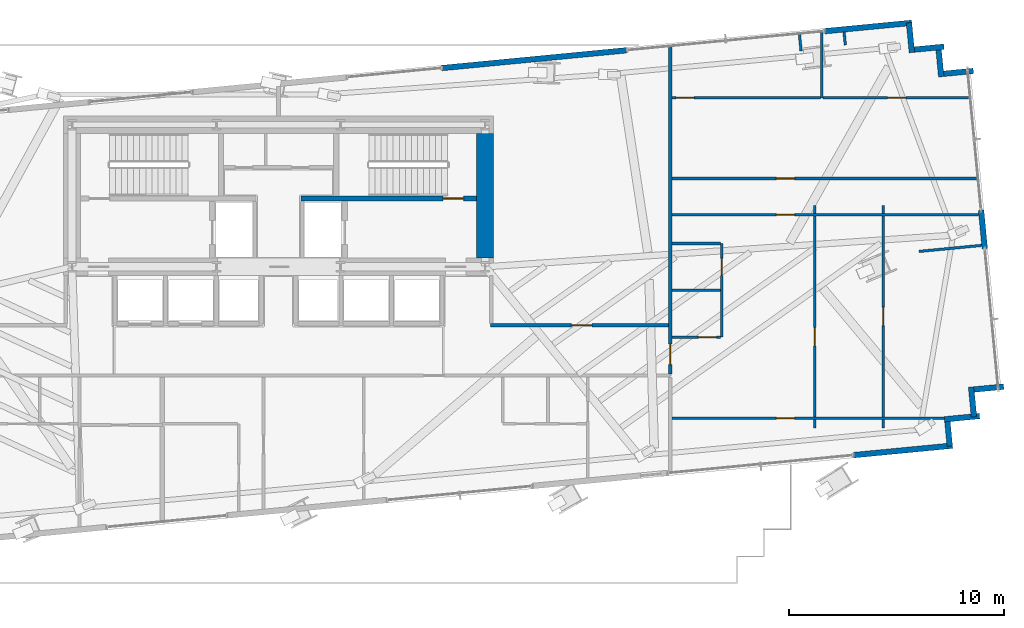
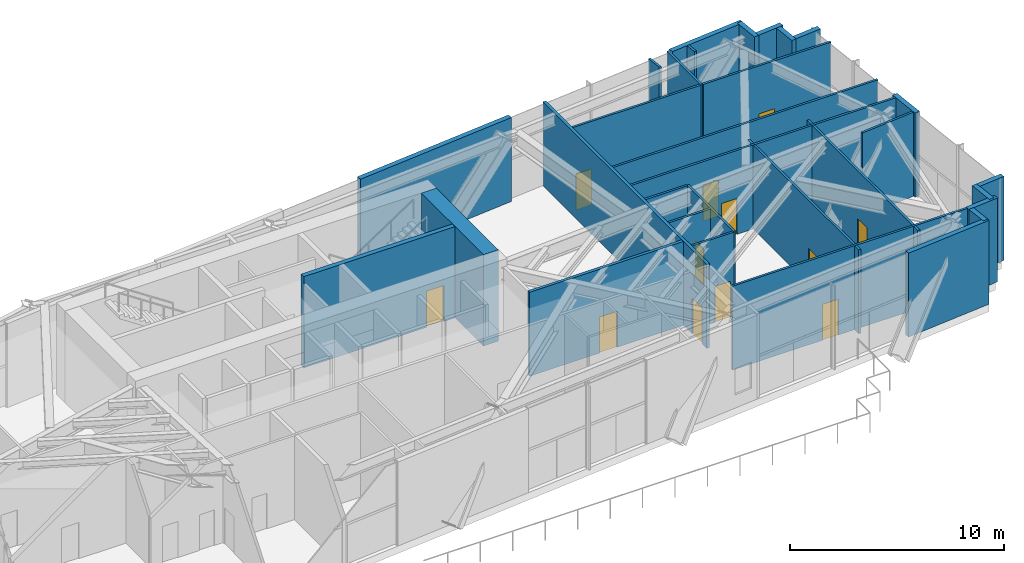
# One storey, part 23 of 28: 35 walls, 12 doors, 12 openings.
"""IFC4 building model written with IfcOpenShell, lengths in metres."""

from ifc_helpers import new_model, si_unit, direction, frame, frame_2d, origin, place, context, subcontext, project, spatial, rectangle, extrude, source, transform, mapped, material, layer, layer_set, type_object, type_shapes, element, fill, save


model = new_model("IFC4")

# Units and contexts
model_context = context("Model", 3, precision=1e-05, world=origin(), true_north=direction((0.0, 1.0)))
body_context = subcontext(model_context, "Body", "Model", "MODEL_VIEW")
ifc_project = project(units=[si_unit("LENGTHUNIT", "METRE"), si_unit("AREAUNIT", "SQUARE_METRE"), si_unit("VOLUMEUNIT", "CUBIC_METRE"), si_unit("PLANEANGLEUNIT", "RADIAN"), si_unit("MASSUNIT", "GRAM", prefix="KILO")], contexts=[model_context])

# Site, building, storey
site_placement = place(None, origin())
site = spatial("IfcSite", under=ifc_project, at=site_placement, CompositionType="ELEMENT")
building_placement = place(site_placement, origin())
building = spatial("IfcBuilding", under=site, at=building_placement, Name="Astriad Promenade Condominiums", CompositionType="ELEMENT")
storey_placement = place(building_placement, frame((0.0, 0.0, 72.60009765625)))
storey = spatial("IfcBuildingStorey", under=building, at=storey_placement, Name="L20", CompositionType="ELEMENT", Elevation=72.60009765625)

# Wall
ifc_material_1 = material(Name="Concrete C80/95", Category="concrete")
ifc_layer_1 = layer(ifc_material_1, 0.800048828125)
ifc_layer_set_1 = layer_set([ifc_layer_1], Name="Concrete C80/95")
wall_type_1 = type_object("IfcWallType", Name="CW-SHEAR-800", PredefinedType="SHEAR", material=ifc_layer_set_1)
wall_1_placement = place(storey_placement, frame((45.60009765625, 17.802001953125, 0.0), z_axis=(0.0, 0.0, 1.0), x_axis=(0.0, 1.0, 0.0)))
element("IfcWall", 1, at=wall_1_placement, inside=storey, type_object=wall_type_1, Name="CW-CORE-E-L20", PredefinedType="SHEAR", context=body_context, shape_type="SweptSolid", body=[
    extrude(rectangle(XDim=5.7958984375, YDim=0.800048828125, at=frame_2d((2.89794921875, 0.0))), origin(), (0.0, 0.0, 1.0), 5.199951171875),
])

# Wall, opening, door
ifc_material_2 = material(Name="Concrete C50/60", Category="concrete")
ifc_layer_2 = layer(ifc_material_2, 0.25)
ifc_layer_set_2 = layer_set([ifc_layer_2], Name="Concrete C50/60")
wall_type_2 = type_object("IfcWallType", Name="WALL-CORE-INT-250", PredefinedType="SOLIDWALL", material=ifc_layer_set_2)
wall_2_placement = place(storey_placement, frame((37.050048828125, 20.574951171875, 0.0), z_axis=(0.0, 0.0, 1.0), x_axis=(1.0, 0.0, 0.0)))
wall_2 = element("IfcWall", 2, at=wall_2_placement, inside=storey, type_object=wall_type_2, Name="CW-INT-H2-L20", PredefinedType="SOLIDWALL", context=body_context, shape_type="SweptSolid", body=[
    extrude(rectangle(XDim=8.14794921875, YDim=0.25, at=frame_2d((4.073974609375, 0.0))), origin(), (0.0, 0.0, 1.0), 5.199951171875),
])
opening_1_placement = place(wall_2_placement, frame((6.60009765625, 0.0, 0.0)))
opening_1 = element("IfcOpeningElement", 3, at=opening_1_placement, cuts=wall_2, Name="Opening FD90-ST-095", PredefinedType="OPENING", context=body_context, shape_type="SweptSolid", body=[
    extrude(rectangle(XDim=0.949951171875, YDim=2.06005859375, at=frame_2d((0.47509765625, 1.030029296875))), frame((0.0, 0.135009765625, 0.0), z_axis=(0.0, -1.0, 0.0), x_axis=(1.0, 0.0, 0.0)), (0.0, 0.0, 1.0), 0.27001953125),
])
ifc_material_3 = material(Name="Fire-Rated Hollow Metal Stair Door")
door_type_1 = type_object("IfcDoorType", Name="FD90-ST-095", OperationType="NOTDEFINED", PredefinedType="DOOR", material=ifc_material_3)
shared_shape_1 = source(origin(), body_context, "Body", "SweptSolid", [
    extrude(rectangle(XDim=0.949951171875, YDim=2.06005859375, at=frame_2d((0.47509765625, 1.030029296875))), frame((0.0, 0.02490234375, 0.0), z_axis=(0.0, -1.0, 0.0), x_axis=(1.0, 0.0, 0.0)), (0.0, 0.0, 1.0), 0.050048828125),
])
type_shapes(door_type_1, [shared_shape_1])
door_1_placement = place(opening_1_placement, origin())
door_1 = element("IfcDoor", 4, at=door_1_placement, inside=storey, type_object=door_type_1, Name="D-ST2-L20", OperationType="SINGLE_SWING_LEFT", OverallHeight=2.06005859375, OverallWidth=0.949951171875, PredefinedType="DOOR", context=body_context, shape_type="MappedRepresentation", body=[
    mapped(shared_shape_1, transform((0.0, 0.0, 0.0), scale=1.0)),
])
fill(opening_1, door_1)

ifc_material_4 = material(Name="Fire-Rated Gypsum Partition")
ifc_layer_3 = layer(ifc_material_4, 0.159912109375)
ifc_layer_set_3 = layer_set([ifc_layer_3], Name="Fire-Rated Gypsum Partition")
wall_type_3 = type_object("IfcWallType", Name="WALL-CORR-160", PredefinedType="PARTITIONING", material=ifc_layer_set_3)
wall_3_placement = place(storey_placement, frame((54.199951171875, 12.431884765625, 0.0), z_axis=(0.0, 0.0, 1.0), x_axis=(0.0, 1.0, 0.0)))
wall_3 = element("IfcWall", 5, at=wall_3_placement, inside=storey, type_object=wall_type_3, Name="PT-COR-E-L20-S2", PredefinedType="PARTITIONING", context=body_context, shape_type="SweptSolid", body=[
    extrude(rectangle(XDim=15.2783203125, YDim=0.159912109375, at=frame_2d((7.63916015625, 0.0))), origin(), (0.0, 0.0, 1.0), 4.77978515625),
])
opening_2_placement = place(wall_3_placement, frame((0.428955078125, 0.0, 0.0)))
opening_2 = element("IfcOpeningElement", 6, at=opening_2_placement, cuts=wall_3, Name="Opening FD60-APT-095", PredefinedType="OPENING", context=body_context, shape_type="SweptSolid", body=[
    extrude(rectangle(XDim=0.949951171875, YDim=2.06005859375, at=frame_2d((0.47509765625, 1.030029296875))), frame((0.0, 0.08984375, 0.0), z_axis=(0.0, -1.0, 0.0), x_axis=(1.0, 0.0, 0.0)), (0.0, 0.0, 1.0), 0.179931640625),
])
ifc_material_5 = material(Name="Solid-Core Acoustic Timber Residence Entry Door", Category="wood")
door_type_2 = type_object("IfcDoorType", Name="FD60-APT-095", OperationType="NOTDEFINED", PredefinedType="DOOR", material=ifc_material_5)
shared_shape_2 = source(origin(), body_context, "Body", "SweptSolid", [
    extrude(rectangle(XDim=0.949951171875, YDim=2.06005859375, at=frame_2d((0.47509765625, 1.030029296875))), frame((0.0, 0.02490234375, 0.0), z_axis=(0.0, -1.0, 0.0), x_axis=(1.0, 0.0, 0.0)), (0.0, 0.0, 1.0), 0.050048828125),
])
type_shapes(door_type_2, [shared_shape_2])
door_2_placement = place(opening_2_placement, origin())
door_2 = element("IfcDoor", 7, at=door_2_placement, inside=storey, type_object=door_type_2, Name="D-ENT-L20-E1", OperationType="SINGLE_SWING_LEFT", OverallHeight=2.06005859375, OverallWidth=0.949951171875, PredefinedType="DOOR", context=body_context, shape_type="MappedRepresentation", body=[
    mapped(shared_shape_2, transform((0.0, 0.0, 0.0), scale=1.0)),
])
fill(opening_2, door_2)

wall_4_placement = place(storey_placement, frame((45.840087890625, 14.679931640625, 0.0), z_axis=(0.0, 0.0, 1.0), x_axis=(1.0, 0.0, 0.0)))
wall_4 = element("IfcWall", 8, at=wall_4_placement, inside=storey, type_object=wall_type_3, Name="PT-FLK-NE-L20", PredefinedType="PARTITIONING", context=body_context, shape_type="SweptSolid", body=[
    extrude(rectangle(XDim=8.27783203125, YDim=0.159912109375, at=frame_2d((4.138916015625, 0.0))), origin(), (0.0, 0.0, 1.0), 4.77978515625),
])
opening_3_placement = place(wall_4_placement, frame((3.764892578125, 0.0, 0.0)))
opening_3 = element("IfcOpeningElement", 9, at=opening_3_placement, cuts=wall_4, Name="Opening FD60-APT-095", PredefinedType="OPENING", context=body_context, shape_type="SweptSolid", body=[
    extrude(rectangle(XDim=0.949951171875, YDim=2.06005859375, at=frame_2d((0.47509765625, 1.030029296875))), frame((0.0, 0.08984375, 0.0), z_axis=(0.0, -1.0, 0.0), x_axis=(1.0, 0.0, 0.0)), (0.0, 0.0, 1.0), 0.179931640625),
])
door_3_placement = place(opening_3_placement, origin())
door_3 = element("IfcDoor", 10, at=door_3_placement, inside=storey, type_object=door_type_2, Name="D-NEA-L20", OperationType="SINGLE_SWING_LEFT", OverallHeight=2.06005859375, OverallWidth=0.949951171875, PredefinedType="DOOR", context=body_context, shape_type="MappedRepresentation", body=[
    mapped(shared_shape_2, transform((0.0, 0.0, 0.0), scale=1.0)),
])
fill(opening_3, door_3)

# Walls
ifc_material_6 = material(Name="Precast concrete C50/60", Category="concrete")
ifc_layer_4 = layer(ifc_material_6, 0.260009765625)
ifc_layer_set_4 = layer_set([ifc_layer_4], Name="Precast concrete C50/60")
wall_type_4 = type_object("IfcWallType", Name="WALL-EXT-TWR-260", PredefinedType="STANDARD", material=ifc_layer_set_4)
wall_5_placement = place(storey_placement, frame((43.58935546875, 26.63818359375, 0.0), z_axis=(0.0, 0.0, 1.0), x_axis=(0.995396129087, 0.09584647202, 0.0)))
element("IfcWall", 11, at=wall_5_placement, inside=storey, type_object=wall_type_4, Name="W-SGCOL-L20-N-4", PredefinedType="STANDARD", context=body_context, shape_type="SweptSolid", body=[
    extrude(rectangle(XDim=8.64013671875, YDim=0.260009765625, at=frame_2d((4.320068359375, 0.0))), origin(), (0.0, 0.0, 1.0), 4.77978515625),
])
wall_6_placement = place(storey_placement, frame((61.377197265625, 28.35107421875, 0.0), z_axis=(0.0, 0.0, 1.0), x_axis=(0.99539517086, 0.095856422986, 0.0)))
element("IfcWall", 12, at=wall_6_placement, inside=storey, type_object=wall_type_4, Name="W-SGCOL-L20-N-5", PredefinedType="STANDARD", context=body_context, shape_type="SweptSolid", body=[
    extrude(rectangle(XDim=4.070068359375, YDim=0.260009765625, at=frame_2d((2.03515625, 0.0))), origin(), (0.0, 0.0, 1.0), 4.77978515625),
])
for number, where, z_axis, x_axis, name in (
    (13, (65.297607421875, 28.74365234375, 0.0), (0.0, 0.0, 1.0), (0.095725744959, -0.99540774648, 0.0), "W-SER-L20-09"),
    (14, (65.533203125, 27.49560546875, 0.0), (0.0, 0.0, 1.0), (0.99540774648, 0.095725744959, 0.0), "W-SER-L20-10"),
):
    element("IfcWall", number, at=place(storey_placement, frame(where, z_axis=z_axis, x_axis=x_axis)), inside=storey, type_object=wall_type_4, Name=name, PredefinedType="STANDARD", context=body_context, shape_type="SweptSolid", body=[
        extrude(rectangle(XDim=1.39501953125, YDim=0.260009765625, at=frame_2d((0.697509765625, 0.0))), origin(), (0.0, 0.0, 1.0), 4.77978515625),
    ])
wall_7_placement = place(storey_placement, frame((66.66162109375, 27.619140625, 0.0), z_axis=(0.0, 0.0, 1.0), x_axis=(0.095742423056, -0.99540614245, 0.0)))
element("IfcWall", 15, at=wall_7_placement, inside=storey, type_object=wall_type_4, Name="W-SER-L20-11", PredefinedType="STANDARD", context=body_context, shape_type="SweptSolid", body=[
    extrude(rectangle(XDim=1.394775390625, YDim=0.260009765625, at=frame_2d((0.697265625, 0.0))), origin(), (0.0, 0.0, 1.0), 4.77978515625),
])
wall_8_placement = place(storey_placement, frame((66.897216796875, 26.37109375, 0.0), z_axis=(0.0, 0.0, 1.0), x_axis=(0.995391056452, 0.09589913835, 0.0)))
element("IfcWall", 16, at=wall_8_placement, inside=storey, type_object=wall_type_4, Name="W-SER-L20-12", PredefinedType="STANDARD", context=body_context, shape_type="SweptSolid", body=[
    extrude(rectangle(XDim=1.39501953125, YDim=0.260009765625, at=frame_2d((0.697509765625, 0.0))), origin(), (0.0, 0.0, 1.0), 4.77978515625),
])
wall_9_placement = place(storey_placement, frame((68.647216796875, 20.03955078125, 0.0), z_axis=(0.0, 0.0, 1.0), x_axis=(0.095756341646, -0.995404803602, 0.0)))
element("IfcWall", 17, at=wall_9_placement, inside=storey, type_object=wall_type_4, Name="W-SGCOL-L20-E-1", PredefinedType="STANDARD", context=body_context, shape_type="SweptSolid", body=[
    extrude(rectangle(XDim=1.800048828125, YDim=0.260009765625, at=frame_2d((0.89990234375, 0.0))), origin(), (0.0, 0.0, 1.0), 4.77978515625),
])
for number, where, z_axis, x_axis, name in (
    (18, (69.698486328125, 11.83251953125, 0.0), (0.0, 0.0, 1.0), (-0.99540614245, -0.095742423056, 0.0), "W-SER-L20-14"),
    (19, (68.18310546875, 11.817138671875, 0.0), (0.0, 0.0, 1.0), (0.095915846097, -0.995389446633, 0.0), "W-SER-L20-15"),
):
    element("IfcWall", number, at=place(storey_placement, frame(where, z_axis=z_axis, x_axis=x_axis)), inside=storey, type_object=wall_type_4, Name=name, PredefinedType="STANDARD", context=body_context, shape_type="SweptSolid", body=[
        extrude(rectangle(XDim=1.394775390625, YDim=0.260009765625, at=frame_2d((0.697265625, 0.0))), origin(), (0.0, 0.0, 1.0), 4.77978515625),
    ])
wall_10_placement = place(storey_placement, frame((68.57421875, 10.468505859375, 0.0), z_axis=(0.0, 0.0, 1.0), x_axis=(-0.995394563142, -0.095862733462, 0.0)))
element("IfcWall", 20, at=wall_10_placement, inside=storey, type_object=wall_type_4, Name="W-SER-L20-16", PredefinedType="STANDARD", context=body_context, shape_type="SweptSolid", body=[
    extrude(rectangle(XDim=1.64013671875, YDim=0.260009765625, at=frame_2d((0.820068359375, 0.0))), origin(), (0.0, 0.0, 1.0), 4.77978515625),
])
wall_11_placement = place(storey_placement, frame((67.082275390625, 10.209228515625, 0.0), z_axis=(0.0, 0.0, 1.0), x_axis=(0.09576095695, -0.995404359607, 0.0)))
element("IfcWall", 21, at=wall_11_placement, inside=storey, type_object=wall_type_4, Name="W-SER-L20-17", PredefinedType="STANDARD", context=body_context, shape_type="SweptSolid", body=[
    extrude(rectangle(XDim=1.14990234375, YDim=0.260009765625, at=frame_2d((0.574951171875, 0.0))), origin(), (0.0, 0.0, 1.0), 4.77978515625),
])
wall_12_placement = place(storey_placement, frame((67.3203125, 9.092041015625, 0.0), z_axis=(0.0, 0.0, 1.0), x_axis=(-0.99539468832, -0.09586143367, 0.0)))
element("IfcWall", 22, at=wall_12_placement, inside=storey, type_object=wall_type_4, Name="W-SGCOL-L20-S-1", PredefinedType="STANDARD", context=body_context, shape_type="SweptSolid", body=[
    extrude(rectangle(XDim=4.619873046875, YDim=0.260009765625, at=frame_2d((2.31005859375, 0.0))), origin(), (0.0, 0.0, 1.0), 4.77978515625),
])

# Wall, opening, door
ifc_material_7 = material(Name="Acoustic Metal-Stud Gypsum Partition")
ifc_layer_5 = layer(ifc_material_7, 0.1201171875)
ifc_layer_set_5 = layer_set([ifc_layer_5], Name="Acoustic Metal-Stud Gypsum Partition")
wall_type_5 = type_object("IfcWallType", Name="WALL-PART-120", PredefinedType="PARTITIONING", material=ifc_layer_set_5)
wall_13_placement = place(storey_placement, frame((56.60009765625, 14.135986328125, 0.0), z_axis=(0.0, 0.0, 1.0), x_axis=(0.0, 1.0, 0.0)))
wall_13 = element("IfcWall", 23, at=wall_13_placement, inside=storey, type_object=wall_type_5, Name="PT-L20-E1-PV", PredefinedType="PARTITIONING", context=body_context, shape_type="SweptSolid", body=[
    extrude(rectangle(XDim=4.35009765625, YDim=0.1201171875, at=frame_2d((2.175048828125, 0.0))), origin(), (0.0, 0.0, 1.0), 4.77978515625),
])
opening_4_placement = place(wall_13_placement, frame((2.862060546875, 0.0, 0.0)))
opening_4 = element("IfcOpeningElement", 24, at=opening_4_placement, cuts=wall_13, Name="Opening D-WET-080", PredefinedType="OPENING", context=body_context, shape_type="SweptSolid", body=[
    extrude(rectangle(XDim=0.800048828125, YDim=2.02001953125, at=frame_2d((0.39990234375, 1.010009765625))), frame((0.0, 0.070068359375, 0.0), z_axis=(0.0, -1.0, 0.0), x_axis=(1.0, 0.0, 0.0)), (0.0, 0.0, 1.0), 0.14013671875),
])
ifc_material_8 = material(Name="Moisture-Resistant Timber Bathroom Door", Category="wood")
door_type_3 = type_object("IfcDoorType", Name="D-WET-080", OperationType="NOTDEFINED", PredefinedType="DOOR", material=ifc_material_8)
shared_shape_3 = source(origin(), body_context, "Body", "SweptSolid", [
    extrude(rectangle(XDim=0.800048828125, YDim=2.02001953125, at=frame_2d((0.39990234375, 1.010009765625))), frame((0.0, 0.02490234375, 0.0), z_axis=(0.0, -1.0, 0.0), x_axis=(1.0, 0.0, 0.0)), (0.0, 0.0, 1.0), 0.050048828125),
])
type_shapes(door_type_3, [shared_shape_3])
door_4_placement = place(opening_4_placement, origin())
door_4 = element("IfcDoor", 25, at=door_4_placement, inside=storey, type_object=door_type_3, Name="D-BTH-L20-E1", OperationType="SINGLE_SWING_LEFT", OverallHeight=2.02001953125, OverallWidth=0.800048828125, PredefinedType="DOOR", context=body_context, shape_type="MappedRepresentation", body=[
    mapped(shared_shape_3, transform((0.0, 0.0, 0.0), scale=1.0)),
])
fill(opening_4, door_4)

# Wall
wall_14_placement = place(storey_placement, frame((54.281982421875, 16.31103515625, 0.0), z_axis=(0.0, 0.0, 1.0), x_axis=(1.0, 0.0, 0.0)))
element("IfcWall", 26, at=wall_14_placement, inside=storey, type_object=wall_type_5, Name="PT-L20-E1-PM", PredefinedType="PARTITIONING", context=body_context, shape_type="SweptSolid", body=[
    extrude(rectangle(XDim=2.256103515625, YDim=0.1201171875, at=frame_2d((1.1279296875, 0.0))), origin(), (0.0, 0.0, 1.0), 4.77978515625),
])

# Wall, opening, door
wall_15_placement = place(storey_placement, frame((54.281982421875, 14.135986328125, 0.0), z_axis=(0.0, 0.0, 1.0), x_axis=(1.0, 0.0, 0.0)))
wall_15 = element("IfcWall", 27, at=wall_15_placement, inside=storey, type_object=wall_type_5, Name="PT-L20-E1-PS", PredefinedType="PARTITIONING", context=body_context, shape_type="SweptSolid", body=[
    extrude(rectangle(XDim=2.256103515625, YDim=0.1201171875, at=frame_2d((1.1279296875, 0.0))), origin(), (0.0, 0.0, 1.0), 4.77978515625),
])
opening_5_placement = place(wall_15_placement, frame((1.22607421875, 0.0, 0.0)))
opening_5 = element("IfcOpeningElement", 28, at=opening_5_placement, cuts=wall_15, Name="Opening D-INT-085", PredefinedType="OPENING", context=body_context, shape_type="SweptSolid", body=[
    extrude(rectangle(XDim=0.85009765625, YDim=2.050048828125, at=frame_2d((0.425048828125, 1.02490234375))), frame((0.0, 0.070068359375, 0.0), z_axis=(0.0, -1.0, 0.0), x_axis=(1.0, 0.0, 0.0)), (0.0, 0.0, 1.0), 0.14013671875),
])
ifc_material_9 = material(Name="Painted Solid-Core Timber Room Door", Category="wood")
door_type_4 = type_object("IfcDoorType", Name="D-INT-085", OperationType="NOTDEFINED", PredefinedType="DOOR", material=ifc_material_9)
shared_shape_4 = source(origin(), body_context, "Body", "SweptSolid", [
    extrude(rectangle(XDim=0.85009765625, YDim=2.050048828125, at=frame_2d((0.425048828125, 1.02490234375))), frame((0.0, 0.02490234375, 0.0), z_axis=(0.0, -1.0, 0.0), x_axis=(1.0, 0.0, 0.0)), (0.0, 0.0, 1.0), 0.050048828125),
])
type_shapes(door_type_4, [shared_shape_4])
door_5_placement = place(opening_5_placement, origin())
door_5 = element("IfcDoor", 29, at=door_5_placement, inside=storey, type_object=door_type_4, Name="D-KIT-L20-E1", OperationType="SINGLE_SWING_RIGHT", OverallHeight=2.050048828125, OverallWidth=0.85009765625, PredefinedType="DOOR", context=body_context, shape_type="MappedRepresentation", body=[
    mapped(shared_shape_4, transform((0.0, 0.0, 0.0), scale=1.0)),
])
fill(opening_5, door_5)

# Walls
wall_16_placement = place(storey_placement, frame((54.281982421875, 18.486083984375, 0.0), z_axis=(0.0, 0.0, 1.0), x_axis=(1.0, 0.0, 0.0)))
element("IfcWall", 30, at=wall_16_placement, inside=storey, type_object=wall_type_5, Name="PT-L20-E1-PN", PredefinedType="PARTITIONING", context=body_context, shape_type="SweptSolid", body=[
    extrude(rectangle(XDim=2.256103515625, YDim=0.1201171875, at=frame_2d((1.1279296875, 0.0))), origin(), (0.0, 0.0, 1.0), 4.77978515625),
])
wall_17_placement = place(storey_placement, frame((61.2451171875, 25.2548828125, 0.0), z_axis=(0.0, 0.0, 1.0), x_axis=(0.0, 1.0, 0.0)))
element("IfcWall", 31, at=wall_17_placement, inside=storey, type_object=wall_type_5, Name="PT-L20-E1-B1M", PredefinedType="PARTITIONING", context=body_context, shape_type="SweptSolid", body=[
    extrude(rectangle(XDim=3.1337890625, YDim=0.1201171875, at=frame_2d((1.56689453125, 0.0))), origin(), (0.0, 0.0, 1.0), 4.77978515625),
])

# Wall, opening, door
wall_18_placement = place(storey_placement, frame((54.281982421875, 25.2548828125, 0.0), z_axis=(0.0, 0.0, 1.0), x_axis=(1.0, 0.0, 0.0)))
wall_18 = element("IfcWall", 32, at=wall_18_placement, inside=storey, type_object=wall_type_5, Name="PT-L20-E1-B1", PredefinedType="PARTITIONING", context=body_context, shape_type="SweptSolid", body=[
    extrude(rectangle(XDim=6.901123046875, YDim=0.1201171875, at=frame_2d((3.45068359375, 0.0))), origin(), (0.0, 0.0, 1.0), 4.77978515625),
])
opening_6_placement = place(wall_18_placement, frame((0.179931640625, 0.0, 0.0)))
opening_6 = element("IfcOpeningElement", 33, at=opening_6_placement, cuts=wall_18, Name="Opening D-INT-085", PredefinedType="OPENING", context=body_context, shape_type="SweptSolid", body=[
    extrude(rectangle(XDim=0.85009765625, YDim=2.050048828125, at=frame_2d((0.425048828125, 1.02490234375))), frame((0.0, 0.070068359375, 0.0), z_axis=(0.0, -1.0, 0.0), x_axis=(1.0, 0.0, 0.0)), (0.0, 0.0, 1.0), 0.14013671875),
])
door_6_placement = place(opening_6_placement, origin())
door_6 = element("IfcDoor", 34, at=door_6_placement, inside=storey, type_object=door_type_4, Name="D-BD1-L20-E1", OperationType="SINGLE_SWING_RIGHT", OverallHeight=2.050048828125, OverallWidth=0.85009765625, PredefinedType="DOOR", context=body_context, shape_type="MappedRepresentation", body=[
    mapped(shared_shape_4, transform((0.0, 0.0, 0.0), scale=1.0)),
])
fill(opening_6, door_6)

wall_19_placement = place(storey_placement, frame((61.306884765625, 25.2548828125, 0.0), z_axis=(0.0, 0.0, 1.0), x_axis=(1.0, 0.0, 0.0)))
wall_19 = element("IfcWall", 35, at=wall_19_placement, inside=storey, type_object=wall_type_5, Name="PT-L20-E1-B1-S2", PredefinedType="PARTITIONING", context=body_context, shape_type="SweptSolid", body=[
    extrude(rectangle(XDim=6.888427734375, YDim=0.1201171875, at=frame_2d((3.4443359375, 0.0))), origin(), (0.0, 0.0, 1.0), 4.77978515625),
])
opening_7_placement = place(wall_19_placement, frame((2.9951171875, 0.0, 0.0)))
opening_7 = element("IfcOpeningElement", 36, at=opening_7_placement, cuts=wall_19, Name="Opening D-INT-085", PredefinedType="OPENING", context=body_context, shape_type="SweptSolid", body=[
    extrude(rectangle(XDim=0.85009765625, YDim=2.050048828125, at=frame_2d((0.425048828125, 1.02490234375))), frame((0.0, 0.070068359375, 0.0), z_axis=(0.0, -1.0, 0.0), x_axis=(1.0, 0.0, 0.0)), (0.0, 0.0, 1.0), 0.14013671875),
])
door_7_placement = place(opening_7_placement, origin())
door_7 = element("IfcDoor", 37, at=door_7_placement, inside=storey, type_object=door_type_4, Name="D-BD1B-L20-E1", OperationType="SINGLE_SWING_LEFT", OverallHeight=2.050048828125, OverallWidth=0.85009765625, PredefinedType="DOOR", context=body_context, shape_type="MappedRepresentation", body=[
    mapped(shared_shape_4, transform((0.0, 0.0, 0.0), scale=1.0)),
])
fill(opening_7, door_7)

wall_20_placement = place(storey_placement, frame((54.281982421875, 21.5048828125, 0.0), z_axis=(0.0, 0.0, 1.0), x_axis=(1.0, 0.0, 0.0)))
wall_20 = element("IfcWall", 38, at=wall_20_placement, inside=storey, type_object=wall_type_5, Name="PT-L20-E1-WDN1", PredefinedType="PARTITIONING", context=body_context, shape_type="SweptSolid", body=[
    extrude(rectangle(XDim=14.2744140625, YDim=0.1201171875, at=frame_2d((7.13720703125, 0.0))), origin(), (0.0, 0.0, 1.0), 4.77978515625),
])
opening_8_placement = place(wall_20_placement, frame((4.85302734375, 0.0, 0.0)))
opening_8 = element("IfcOpeningElement", 39, at=opening_8_placement, cuts=wall_20, Name="Opening D-INT-085", PredefinedType="OPENING", context=body_context, shape_type="SweptSolid", body=[
    extrude(rectangle(XDim=0.85009765625, YDim=2.050048828125, at=frame_2d((0.425048828125, 1.02490234375))), frame((0.0, 0.070068359375, 0.0), z_axis=(0.0, -1.0, 0.0), x_axis=(1.0, 0.0, 0.0)), (0.0, 0.0, 1.0), 0.14013671875),
])
door_8_placement = place(opening_8_placement, origin())
door_8 = element("IfcDoor", 40, at=door_8_placement, inside=storey, type_object=door_type_4, Name="D-WDN1-L20-E1", OperationType="SINGLE_SWING_RIGHT", OverallHeight=2.050048828125, OverallWidth=0.85009765625, PredefinedType="DOOR", context=body_context, shape_type="MappedRepresentation", body=[
    mapped(shared_shape_4, transform((0.0, 0.0, 0.0), scale=1.0)),
])
fill(opening_8, door_8)

wall_21_placement = place(storey_placement, frame((54.281982421875, 10.362060546875, 0.0), z_axis=(0.0, 0.0, 1.0), x_axis=(1.0, 0.0, 0.0)))
wall_21 = element("IfcWall", 41, at=wall_21_placement, inside=storey, type_object=wall_type_5, Name="PT-L20-E1-WDS2", PredefinedType="PARTITIONING", context=body_context, shape_type="SweptSolid", body=[
    extrude(rectangle(XDim=12.65478515625, YDim=0.1201171875, at=frame_2d((6.327392578125, 0.0))), origin(), (0.0, 0.0, 1.0), 4.77978515625),
])
opening_9_placement = place(wall_21_placement, frame((4.85302734375, 0.0, 0.0)))
opening_9 = element("IfcOpeningElement", 42, at=opening_9_placement, cuts=wall_21, Name="Opening D-INT-085", PredefinedType="OPENING", context=body_context, shape_type="SweptSolid", body=[
    extrude(rectangle(XDim=0.85009765625, YDim=2.050048828125, at=frame_2d((0.425048828125, 1.02490234375))), frame((0.0, 0.070068359375, 0.0), z_axis=(0.0, -1.0, 0.0), x_axis=(1.0, 0.0, 0.0)), (0.0, 0.0, 1.0), 0.14013671875),
])
door_9_placement = place(opening_9_placement, origin())
door_9 = element("IfcDoor", 43, at=door_9_placement, inside=storey, type_object=door_type_4, Name="D-WDS2-L20-E1", OperationType="SINGLE_SWING_LEFT", OverallHeight=2.050048828125, OverallWidth=0.85009765625, PredefinedType="DOOR", context=body_context, shape_type="MappedRepresentation", body=[
    mapped(shared_shape_4, transform((0.0, 0.0, 0.0), scale=1.0)),
])
fill(opening_9, door_9)

wall_22_placement = place(storey_placement, frame((54.281982421875, 19.818115234375, 0.0), z_axis=(0.0, 0.0, 1.0), x_axis=(1.0, 0.0, 0.0)))
wall_22 = element("IfcWall", 44, at=wall_22_placement, inside=storey, type_object=wall_type_5, Name="PT-L20-E1-WDN3", PredefinedType="PARTITIONING", context=body_context, shape_type="SweptSolid", body=[
    extrude(rectangle(XDim=14.25390625, YDim=0.1201171875, at=frame_2d((7.126953125, 0.0))), origin(), (0.0, 0.0, 1.0), 4.77978515625),
])
opening_10_placement = place(wall_22_placement, frame((4.85302734375, 0.0, 0.0)))
opening_10 = element("IfcOpeningElement", 45, at=opening_10_placement, cuts=wall_22, Name="Opening D-INT-085", PredefinedType="OPENING", context=body_context, shape_type="SweptSolid", body=[
    extrude(rectangle(XDim=0.85009765625, YDim=2.050048828125, at=frame_2d((0.425048828125, 1.02490234375))), frame((0.0, 0.070068359375, 0.0), z_axis=(0.0, -1.0, 0.0), x_axis=(1.0, 0.0, 0.0)), (0.0, 0.0, 1.0), 0.14013671875),
])
door_10_placement = place(opening_10_placement, origin())
door_10 = element("IfcDoor", 46, at=door_10_placement, inside=storey, type_object=door_type_4, Name="D-WDN3-L20-E1", OperationType="SINGLE_SWING_RIGHT", OverallHeight=2.050048828125, OverallWidth=0.85009765625, PredefinedType="DOOR", context=body_context, shape_type="MappedRepresentation", body=[
    mapped(shared_shape_4, transform((0.0, 0.0, 0.0), scale=1.0)),
])
fill(opening_10, door_10)

# Wall
wall_23_placement = place(storey_placement, frame((64.091064453125, 9.922119140625, 0.0), z_axis=(0.0, 0.0, 1.0), x_axis=(0.0, 1.0, 0.0)))
element("IfcWall", 47, at=wall_23_placement, inside=storey, type_object=wall_type_5, Name="PT-L20-E1-WDV4", PredefinedType="PARTITIONING", context=body_context, shape_type="SweptSolid", body=[
    extrude(rectangle(XDim=0.3779296875, YDim=0.1201171875, at=frame_2d((0.18896484375, 0.0))), origin(), (0.0, 0.0, 1.0), 4.77978515625),
])

# Wall, opening, door
wall_24_placement = place(storey_placement, frame((64.091064453125, 10.424072265625, 0.0), z_axis=(0.0, 0.0, 1.0), x_axis=(0.0, 1.0, 0.0)))
wall_24 = element("IfcWall", 48, at=wall_24_placement, inside=storey, type_object=wall_type_5, Name="PT-L20-E1-WDV4-S2", PredefinedType="PARTITIONING", context=body_context, shape_type="SweptSolid", body=[
    extrude(rectangle(XDim=9.33203125, YDim=0.1201171875, at=frame_2d((4.666015625, 0.0))), origin(), (0.0, 0.0, 1.0), 4.77978515625),
])
opening_11_placement = place(wall_24_placement, frame((4.240966796875, 0.0, 0.0)))
opening_11 = element("IfcOpeningElement", 49, at=opening_11_placement, cuts=wall_24, Name="Opening D-INT-085", PredefinedType="OPENING", context=body_context, shape_type="SweptSolid", body=[
    extrude(rectangle(XDim=0.85009765625, YDim=2.050048828125, at=frame_2d((0.425048828125, 1.02490234375))), frame((0.0, 0.070068359375, 0.0), z_axis=(0.0, -1.0, 0.0), x_axis=(1.0, 0.0, 0.0)), (0.0, 0.0, 1.0), 0.14013671875),
])
door_11_placement = place(opening_11_placement, origin())
door_11 = element("IfcDoor", 50, at=door_11_placement, inside=storey, type_object=door_type_4, Name="D-WDV4-L20-E1", OperationType="SINGLE_SWING_LEFT", OverallHeight=2.050048828125, OverallWidth=0.85009765625, PredefinedType="DOOR", context=body_context, shape_type="MappedRepresentation", body=[
    mapped(shared_shape_4, transform((0.0, 0.0, 0.0), scale=1.0)),
])
fill(opening_11, door_11)

# Walls
wall_25_placement = place(storey_placement, frame((64.091064453125, 19.8798828125, 0.0), z_axis=(0.0, 0.0, 1.0), x_axis=(0.0, 1.0, 0.0)))
element("IfcWall", 51, at=wall_25_placement, inside=storey, type_object=wall_type_5, Name="PT-L20-E1-WDV4-S3", PredefinedType="PARTITIONING", context=body_context, shape_type="SweptSolid", body=[
    extrude(rectangle(XDim=0.378173828125, YDim=0.1201171875, at=frame_2d((0.18896484375, 0.0))), origin(), (0.0, 0.0, 1.0), 4.77978515625),
])
wall_26_placement = place(storey_placement, frame((60.909912109375, 9.922119140625, 0.0), z_axis=(0.0, 0.0, 1.0), x_axis=(0.0, 1.0, 0.0)))
element("IfcWall", 52, at=wall_26_placement, inside=storey, type_object=wall_type_5, Name="PT-L20-E1-WDV5", PredefinedType="PARTITIONING", context=body_context, shape_type="SweptSolid", body=[
    extrude(rectangle(XDim=0.3779296875, YDim=0.1201171875, at=frame_2d((0.18896484375, 0.0))), origin(), (0.0, 0.0, 1.0), 4.77978515625),
])

# Wall, opening, door
wall_27_placement = place(storey_placement, frame((60.909912109375, 10.424072265625, 0.0), z_axis=(0.0, 0.0, 1.0), x_axis=(0.0, 1.0, 0.0)))
wall_27 = element("IfcWall", 53, at=wall_27_placement, inside=storey, type_object=wall_type_5, Name="PT-L20-E1-WDV5-S2", PredefinedType="PARTITIONING", context=body_context, shape_type="SweptSolid", body=[
    extrude(rectangle(XDim=9.33203125, YDim=0.1201171875, at=frame_2d((4.666015625, 0.0))), origin(), (0.0, 0.0, 1.0), 4.77978515625),
])
opening_12_placement = place(wall_27_placement, frame((3.300048828125, 0.0, 0.0)))
opening_12 = element("IfcOpeningElement", 54, at=opening_12_placement, cuts=wall_27, Name="Opening D-INT-085", PredefinedType="OPENING", context=body_context, shape_type="SweptSolid", body=[
    extrude(rectangle(XDim=0.85009765625, YDim=2.050048828125, at=frame_2d((0.425048828125, 1.02490234375))), frame((0.0, 0.070068359375, 0.0), z_axis=(0.0, -1.0, 0.0), x_axis=(1.0, 0.0, 0.0)), (0.0, 0.0, 1.0), 0.14013671875),
])
door_12_placement = place(opening_12_placement, origin())
door_12 = element("IfcDoor", 55, at=door_12_placement, inside=storey, type_object=door_type_4, Name="D-WDV5-L20-E1", OperationType="SINGLE_SWING_RIGHT", OverallHeight=2.050048828125, OverallWidth=0.85009765625, PredefinedType="DOOR", context=body_context, shape_type="MappedRepresentation", body=[
    mapped(shared_shape_4, transform((0.0, 0.0, 0.0), scale=1.0)),
])
fill(opening_12, door_12)

# Walls
wall_28_placement = place(storey_placement, frame((60.909912109375, 19.8798828125, 0.0), z_axis=(0.0, 0.0, 1.0), x_axis=(0.0, 1.0, 0.0)))
element("IfcWall", 56, at=wall_28_placement, inside=storey, type_object=wall_type_5, Name="PT-L20-E1-WDV5-S3", PredefinedType="PARTITIONING", context=body_context, shape_type="SweptSolid", body=[
    extrude(rectangle(XDim=0.378173828125, YDim=0.1201171875, at=frame_2d((0.18896484375, 0.0))), origin(), (0.0, 0.0, 1.0), 4.77978515625),
])
wall_29_placement = place(storey_placement, frame((62.339111328125, 27.701171875, 0.0), z_axis=(0.0, 0.0, 1.0), x_axis=(-0.095720070118, 0.995408292198, 0.0)))
element("IfcWall", 57, at=wall_29_placement, inside=storey, type_object=wall_type_5, Name="PT-PIL-L20-PC10-17", PredefinedType="PARTITIONING", context=body_context, shape_type="SweptSolid", body=[
    extrude(rectangle(XDim=0.60693359375, YDim=0.1201171875, at=frame_2d((0.303466796875, 0.0))), origin(), (0.0, 0.0, 1.0), 4.77978515625),
])
wall_30_placement = place(storey_placement, frame((65.759521484375, 18.115966796875, 0.0), z_axis=(0.0, 0.0, 1.0), x_axis=(0.995396335344, 0.095844329951, 0.0)))
element("IfcWall", 58, at=wall_30_placement, inside=storey, type_object=wall_type_5, Name="PT-PIL-L20-PC12-19", PredefinedType="PARTITIONING", context=body_context, shape_type="SweptSolid", body=[
    extrude(rectangle(XDim=2.9267578125, YDim=0.1201171875, at=frame_2d((1.46337890625, 0.0))), origin(), (0.0, 0.0, 1.0), 4.77978515625),
])
wall_31_placement = place(storey_placement, frame((60.280517578125, 27.43359375, 0.0), z_axis=(0.0, 0.0, 1.0), x_axis=(-0.09586960411, 0.995393901432, 0.0)))
element("IfcWall", 59, at=wall_31_placement, inside=storey, type_object=wall_type_5, Name="PT-PIL-L20-PC10-29", PredefinedType="PARTITIONING", context=body_context, shape_type="SweptSolid", body=[
    extrude(rectangle(XDim=0.858154296875, YDim=0.1201171875, at=frame_2d((0.42919921875, 0.0))), origin(), (0.0, 0.0, 1.0), 4.77978515625),
])

save(model, "model.ifc")
